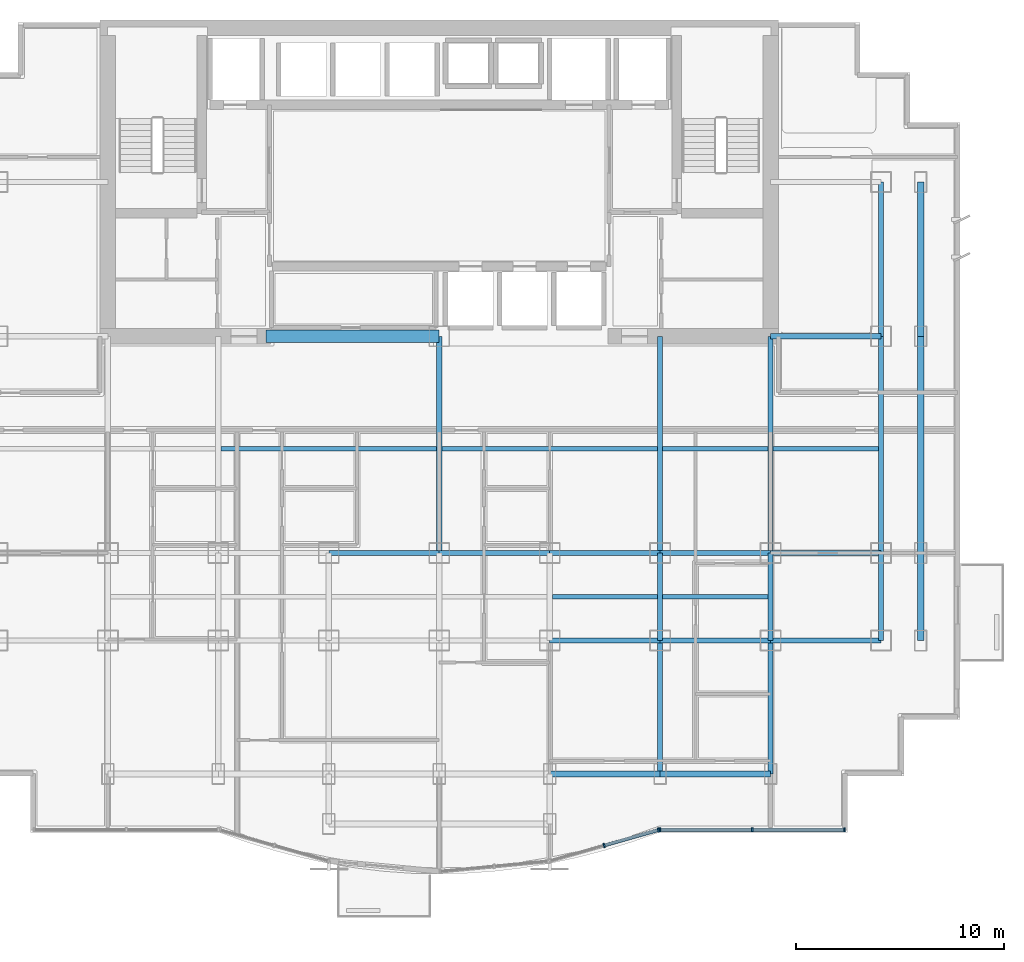
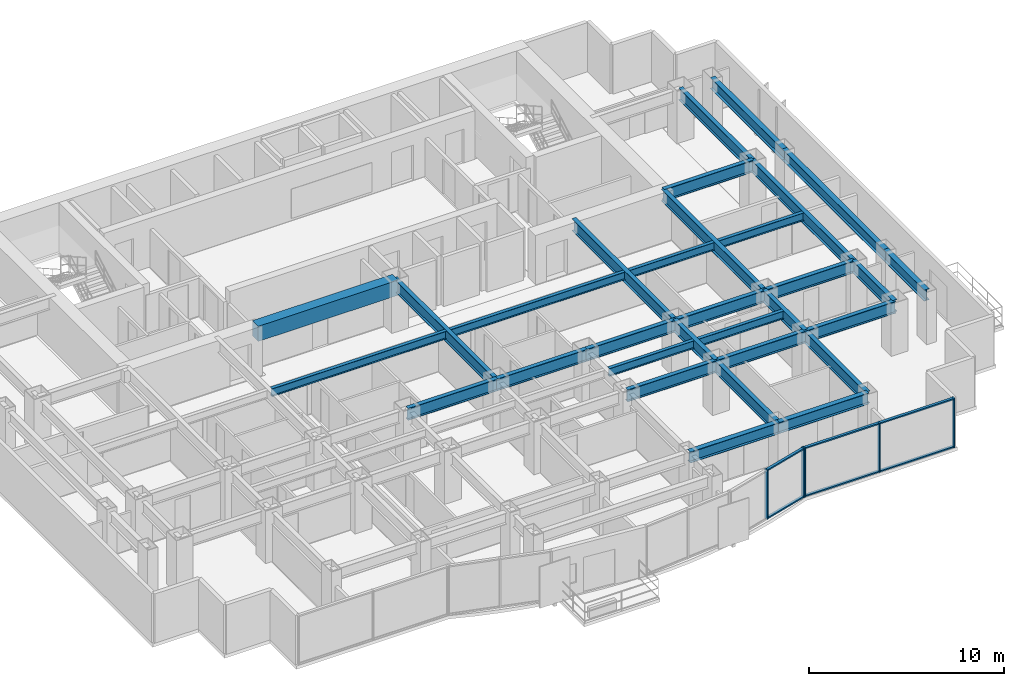
# One storey, part 3 of 10: 31 beams, 11 members, 2 elements without a shape of their own.
"""IFC4 building model written with IfcOpenShell, lengths in metres."""

import ifcopenshell
import ifcopenshell.guid

model = None  # the IFC model being written
_history = None  # IfcOwnerHistory: only IFC2X3 demands one
_inside = {}  # id of a spatial element -> (the spatial element, [elements in it])
_under = {}  # id of a project, library or spatial element -> (it, [spatial elements below it])
_declared = {}  # id of a project -> (the project, [libraries it declares])
_typed = {}  # id of a type object -> (the type object, [elements of that type])
_made_of = {}  # id of a material, layer set ... -> (it, [elements and type objects made of it])


def new_model(schema):
    """Start an empty IFC model of exactly this schema.

    Asked for "IFC4X3", IfcOpenShell would pick the latest addendum, in which some entities
    have other attributes; the version numbers below select the first issue.
    IFC2X3 requires an IfcOwnerHistory on every rooted entity: one is made here for all.
    """
    global model, _history
    if schema == "IFC4X3":
        model = ifcopenshell.file(schema_version=(4, 3, 0, 0))
    else:
        model = ifcopenshell.file(schema=schema)
    _inside.clear()
    _under.clear()
    _declared.clear()
    _typed.clear()
    _made_of.clear()
    _history = None
    if model.schema == "IFC2X3":
        org = make("IfcOrganization", Name="unknown")
        user = make(
            "IfcPersonAndOrganization",
            ThePerson=make("IfcPerson", FamilyName="unknown"),
            TheOrganization=org,
        )
        app = make(
            "IfcApplication",
            ApplicationDeveloper=org,
            Version="unknown",
            ApplicationFullName="unknown",
            ApplicationIdentifier="unknown",
        )
        _history = make(
            "IfcOwnerHistory",
            OwningUser=user,
            OwningApplication=app,
            ChangeAction="ADDED",
            CreationDate=0,
        )
    return model


def make(cls, **values):
    """One entity of the class cls with the attributes given. An attribute that is None is left unset."""
    return model.create_entity(
        cls, **{name: value for name, value in values.items() if value is not None}
    )


def rooted(cls, **values):
    """An entity with a GlobalId (a new one), such as an element, a storey or a relation."""
    return make(cls, GlobalId=ifcopenshell.guid.new(), OwnerHistory=_history, **values)


def si_unit(unit_type, name, prefix=None):
    """IfcSIUnit, for example si_unit("LENGTHUNIT", "METRE", prefix="MILLI")."""
    return make("IfcSIUnit", UnitType=unit_type, Prefix=prefix, Name=name)


def assignment(units):
    """IfcUnitAssignment: the units of a project."""
    return None if units is None else make("IfcUnitAssignment", Units=units)


def point(xyz):
    """IfcCartesianPoint."""
    return None if xyz is None else make("IfcCartesianPoint", Coordinates=xyz)


def direction(xyz):
    """IfcDirection."""
    return None if xyz is None else make("IfcDirection", DirectionRatios=xyz)


def frame(location, z_axis=None, x_axis=None):
    """IfcAxis2Placement3D, a coordinate frame: its origin and axes. An axis left out is left unset."""
    return make(
        "IfcAxis2Placement3D",
        Location=point(location),
        Axis=direction(z_axis),
        RefDirection=direction(x_axis),
    )


def frame_2d(location, x_axis=None):
    """IfcAxis2Placement2D, a coordinate frame in the plane: its origin and x axis."""
    return make(
        "IfcAxis2Placement2D", Location=point(location), RefDirection=direction(x_axis)
    )


def origin():
    """The frame at (0, 0, 0) with its axes left unset."""
    return frame((0.0, 0.0, 0.0))


def origin_2d():
    """The frame at (0, 0) in the plane with its x axis left unset."""
    return frame_2d((0.0, 0.0))


def place(relative_to, where):
    """IfcLocalPlacement: puts the frame where relative to a parent placement (None: the world)."""
    return make(
        "IfcLocalPlacement", PlacementRelTo=relative_to, RelativePlacement=where
    )


def context(
    kind, dimensions, precision=None, world=None, true_north=None, identifier=None
):
    """IfcGeometricRepresentationContext, for example the 3D "Model" context."""
    return make(
        "IfcGeometricRepresentationContext",
        ContextIdentifier=identifier,
        ContextType=kind,
        CoordinateSpaceDimension=dimensions,
        Precision=precision,
        WorldCoordinateSystem=world,
        TrueNorth=true_north,
    )


def subcontext(parent, identifier, kind, view, scale=None):
    """IfcGeometricRepresentationSubContext, for example "Body" below "Model"."""
    return make(
        "IfcGeometricRepresentationSubContext",
        ContextIdentifier=identifier,
        ContextType=kind,
        ParentContext=parent,
        TargetScale=scale,
        TargetView=view,
    )


def project(units=None, contexts=None):
    """IfcProject with its units and contexts."""
    return rooted(
        "IfcProject",
        Name="project",
        RepresentationContexts=contexts,
        UnitsInContext=assignment(units),
    )


def spatial(cls, under=None, at=None, **own):
    """A site, building, storey or space (cls), placed at a placement, below another one or the project."""
    s = rooted(cls, ObjectPlacement=at, **own)
    if under is not None:
        _under.setdefault(under.id(), (under, []))[1].append(s)
    return s


def profile(cls, at=None, kind="AREA", **sizes):
    """A parametric profile (cls). Its sizes go by their IFC names, for example OverallWidth=200.0."""
    return make(cls, ProfileType=kind, Position=at, **sizes)


def rectangle(**sizes):
    """IfcRectangleProfileDef."""
    return profile("IfcRectangleProfileDef", **sizes)


def i_section(**sizes):
    """IfcIShapeProfileDef."""
    return profile("IfcIShapeProfileDef", **sizes)


def extrude(swept, where, along, depth):
    """IfcExtrudedAreaSolid: the profile swept, set in the frame where, extruded along a direction by depth."""
    return make(
        "IfcExtrudedAreaSolid",
        SweptArea=swept,
        Position=where,
        ExtrudedDirection=direction(along),
        Depth=depth,
    )


def shape(context_of_items, identifier, shape_type, items):
    """IfcShapeRepresentation: the items that make up one representation, for example the "Body"."""
    return make(
        "IfcShapeRepresentation",
        ContextOfItems=context_of_items,
        RepresentationIdentifier=identifier,
        RepresentationType=shape_type,
        Items=items,
    )


def source(mapping_origin, context_of_items, identifier, shape_type, items):
    """IfcRepresentationMap: a shape defined once, which mapped items show again and again."""
    return make(
        "IfcRepresentationMap",
        MappingOrigin=mapping_origin,
        MappedRepresentation=shape(context_of_items, identifier, shape_type, items),
    )


def transform(
    local_origin,
    x_axis=None,
    y_axis=None,
    z_axis=None,
    scale=None,
    scale2=None,
    scale3=None,
    uniform=True,
):
    """IfcCartesianTransformationOperator3D, or its non-uniform kind. x_axis, y_axis, z_axis: its Axis1, 2, 3."""
    if uniform:
        return make(
            "IfcCartesianTransformationOperator3D",
            Axis1=direction(x_axis),
            Axis2=direction(y_axis),
            LocalOrigin=point(local_origin),
            Scale=scale,
            Axis3=direction(z_axis),
        )
    return make(
        "IfcCartesianTransformationOperator3DnonUniform",
        Axis1=direction(x_axis),
        Axis2=direction(y_axis),
        LocalOrigin=point(local_origin),
        Scale=scale,
        Axis3=direction(z_axis),
        Scale2=scale2,
        Scale3=scale3,
    )


def mapped(mapping_source, mapping_target):
    """IfcMappedItem: shows the shape of a source again, moved by a transform."""
    return make(
        "IfcMappedItem", MappingSource=mapping_source, MappingTarget=mapping_target
    )


def material(Name=None, Category=None):
    """IfcMaterial."""
    return make("IfcMaterial", Name=Name, Category=Category)


def layer(
    of_material, thickness, ventilated=None, Name=None, Category=None, Priority=None
):
    """IfcMaterialLayer: one layer of a wall or slab, of a material (None: an air gap)."""
    return make(
        "IfcMaterialLayer",
        Material=of_material,
        LayerThickness=thickness,
        IsVentilated=ventilated,
        Name=Name,
        Category=Category,
        Priority=Priority,
    )


def layer_set(layers, Name=None):
    """IfcMaterialLayerSet."""
    return make("IfcMaterialLayerSet", MaterialLayers=layers, LayerSetName=Name)


def material_profile(
    of_material, cross_section, Name=None, Category=None, Priority=None
):
    """IfcMaterialProfile: a cross section and its material."""
    return make(
        "IfcMaterialProfile",
        Name=Name,
        Material=of_material,
        Profile=cross_section,
        Priority=Priority,
        Category=Category,
    )


def profile_set(profiles, Name=None, composite=None):
    """IfcMaterialProfileSet."""
    return make(
        "IfcMaterialProfileSet",
        Name=Name,
        MaterialProfiles=profiles,
        CompositeProfile=composite,
    )


def made_of(thing, what):
    """Note that an element or type object is made of a material, layer set ...; save() writes the relation."""
    if what is not None:
        _made_of.setdefault(what.id(), (what, []))[1].append(thing)
    return thing


def type_object(cls, material=None, **own):
    """A type object (cls), such as IfcWallType, which elements share."""
    return made_of(rooted(cls, **own), material)


def element(
    cls,
    number,
    at=None,
    inside=None,
    cuts=None,
    type_object=None,
    material=None,
    context=None,
    identifier="Body",
    shape_type=None,
    held_by="IfcProductDefinitionShape",
    body=None,
    shapes=None,
    **own,
):
    """One element of the class cls, such as IfcWall. Its Tag is "e" and its number.

    at: its placement. inside: the storey or other place that contains it. cuts: it is an
    opening in that element (IfcRelVoidsElement). A single representation is given by context,
    identifier, shape_type and body (its items); several are given by shapes. held_by: the class
    of the entity that holds the representations. save() writes the other relations.
    """
    e = rooted(cls, Tag="e%d" % number, ObjectPlacement=at, **own)
    if body is not None:
        shapes = [shape(context, identifier, shape_type, body)]
    if shapes is not None:
        e.Representation = make(held_by, Representations=shapes)
    if inside is not None:
        _inside.setdefault(inside.id(), (inside, []))[1].append(e)
    if cuts is not None:
        rooted(
            "IfcRelVoidsElement", RelatingBuildingElement=cuts, RelatedOpeningElement=e
        )
    if type_object is not None:
        _typed.setdefault(type_object.id(), (type_object, []))[1].append(e)
    return made_of(e, material)


def aggregate(whole, parts):
    """IfcRelAggregates: a whole, such as a stair, and the parts it consists of."""
    return rooted("IfcRelAggregates", RelatingObject=whole, RelatedObjects=parts)


def save(model, path):
    """Write the relations noted so far, then the file.

    IfcRelAggregates (storeys below a building ...), IfcRelContainedInSpatialStructure (elements
    in a storey), IfcRelDefinesByType, IfcRelAssociatesMaterial and IfcRelDeclares: one each for
    every whole, place, type object, material and project.
    """
    for whole, parts in _under.values():
        aggregate(whole, parts)
    for where, things in _inside.values():
        rooted(
            "IfcRelContainedInSpatialStructure",
            RelatedElements=things,
            RelatingStructure=where,
        )
    for kind, things in _typed.values():
        rooted("IfcRelDefinesByType", RelatedObjects=things, RelatingType=kind)
    for what, things in _made_of.values():
        rooted("IfcRelAssociatesMaterial", RelatedObjects=things, RelatingMaterial=what)
    for by, libraries in _declared.values():
        rooted("IfcRelDeclares", RelatingContext=by, RelatedDefinitions=libraries)
    model.write(path)


model = new_model("IFC4")

# Units and contexts
model_context = context("Model", 3, precision=1e-05, world=origin(), true_north=direction((0.0, 1.0)))
body_context = subcontext(model_context, "Body", "Model", "MODEL_VIEW")
ifc_project = project(units=[si_unit("LENGTHUNIT", "METRE"), si_unit("AREAUNIT", "SQUARE_METRE"), si_unit("VOLUMEUNIT", "CUBIC_METRE"), si_unit("PLANEANGLEUNIT", "RADIAN"), si_unit("MASSUNIT", "GRAM", prefix="KILO")], contexts=[model_context])

# Site, building, storey
site_placement = place(None, origin())
site = spatial("IfcSite", under=ifc_project, at=site_placement, CompositionType="ELEMENT")
building_placement = place(site_placement, origin())
building = spatial("IfcBuilding", under=site, at=building_placement, Name="Qianlan Lanfeng Residences", CompositionType="ELEMENT")
storey_placement = place(building_placement, frame((0.0, 0.0, 88.300048828125)))
storey = spatial("IfcBuildingStorey", under=building, at=storey_placement, Name="L23", CompositionType="ELEMENT", Elevation=88.300048828125)

# Beams
ifc_material_1 = material(Name="Steel SN490B", Category="steel")
ifc_material_profile_1 = material_profile(ifc_material_1, i_section(OverallWidth=0.25, OverallDepth=0.75, WebThickness=0.013916015625, FlangeThickness=0.02490234375, at=origin_2d()), Name="H 750x250x14x25")
ifc_profile_set_1 = profile_set([ifc_material_profile_1], Name="Steel SN490B")
beam_type_1 = type_object("IfcBeamType", Name="G-850", PredefinedType="BEAM", material=ifc_profile_set_1)
beam_1_placement = place(storey_placement, frame((31.800048828125, 10.60009765625, 2.71484375), z_axis=(1.0, 0.0, 0.0), x_axis=(0.0, 1.0, 0.0)))
element("IfcBeam", 1, at=beam_1_placement, inside=storey, type_object=beam_type_1, Name="Structural beam G-850", PredefinedType="BEAM", context=body_context, shape_type="SweptSolid", body=[
    extrude(i_section(OverallWidth=0.25, OverallDepth=0.75, WebThickness=0.013916015625, FlangeThickness=0.02490234375, at=origin_2d()), origin(), (0.0, 0.0, 1.0), 5.300048828125),
])
beam_2_placement = place(storey_placement, frame((37.10009765625, 10.60009765625, 2.71484375), z_axis=(1.0, 0.0, 0.0), x_axis=(0.0, 1.0, 0.0)))
element("IfcBeam", 2, at=beam_2_placement, inside=storey, type_object=beam_type_1, Name="Structural beam G-850", PredefinedType="BEAM", context=body_context, shape_type="SweptSolid", body=[
    extrude(i_section(OverallWidth=0.25, OverallDepth=0.75, WebThickness=0.013916015625, FlangeThickness=0.02490234375, at=origin_2d()), origin(), (0.0, 0.0, 1.0), 5.2998046875),
])
for number, where, z_axis, x_axis, name in (
    (3, (42.39990234375, 10.60009765625, 2.71484375), (1.0, 0.0, 0.0), (0.0, 1.0, 0.0), "Structural beam G-850"),
    (4, (21.199951171875, 14.800048828125, 2.71484375), (1.0, 0.0, 0.0), (0.0, 1.0, 0.0), "Structural beam G-850"),
    (5, (26.5, 14.800048828125, 2.71484375), (1.0, 0.0, 0.0), (0.0, 1.0, 0.0), "Structural beam G-850"),
    (6, (31.800048828125, 14.800048828125, 2.71484375), (1.0, 0.0, 0.0), (0.0, 1.0, 0.0), "Structural beam G-850"),
):
    element("IfcBeam", number, at=place(storey_placement, frame(where, z_axis=z_axis, x_axis=x_axis)), inside=storey, type_object=beam_type_1, Name=name, PredefinedType="BEAM", context=body_context, shape_type="SweptSolid", body=[
        extrude(i_section(OverallWidth=0.25, OverallDepth=0.75, WebThickness=0.013916015625, FlangeThickness=0.02490234375, at=origin_2d()), origin(), (0.0, 0.0, 1.0), 5.300048828125),
    ])
beam_3_placement = place(storey_placement, frame((37.10009765625, 14.800048828125, 2.71484375), z_axis=(1.0, 0.0, 0.0), x_axis=(0.0, 1.0, 0.0)))
element("IfcBeam", 7, at=beam_3_placement, inside=storey, type_object=beam_type_1, Name="Structural beam G-850", PredefinedType="BEAM", context=body_context, shape_type="SweptSolid", body=[
    extrude(i_section(OverallWidth=0.25, OverallDepth=0.75, WebThickness=0.013916015625, FlangeThickness=0.02490234375, at=origin_2d()), origin(), (0.0, 0.0, 1.0), 5.2998046875),
])
for number, where, z_axis, x_axis, name in (
    (8, (42.39990234375, 14.800048828125, 2.71484375), (1.0, 0.0, 0.0), (0.0, 1.0, 0.0), "Structural beam G-850"),
    (9, (42.39990234375, 25.199951171875, 2.71484375), (1.0, 0.0, 0.0), (0.0, 1.0, 0.0), "Structural beam G-850"),
):
    element("IfcBeam", number, at=place(storey_placement, frame(where, z_axis=z_axis, x_axis=x_axis)), inside=storey, type_object=beam_type_1, Name=name, PredefinedType="BEAM", context=body_context, shape_type="SweptSolid", body=[
        extrude(i_section(OverallWidth=0.25, OverallDepth=0.75, WebThickness=0.013916015625, FlangeThickness=0.02490234375, at=origin_2d()), origin(), (0.0, 0.0, 1.0), 5.300048828125),
    ])
beam_4_placement = place(storey_placement, frame((26.5, 14.800048828125, 2.71484375), z_axis=(0.0, 1.0, 0.0), x_axis=(-1.0, 0.0, 0.0)))
element("IfcBeam", 10, at=beam_4_placement, inside=storey, type_object=beam_type_1, Name="Structural beam G-850", PredefinedType="BEAM", context=body_context, shape_type="SweptSolid", body=[
    extrude(i_section(OverallWidth=0.25, OverallDepth=0.75, WebThickness=0.013916015625, FlangeThickness=0.02490234375, at=origin_2d()), origin(), (0.0, 0.0, 1.0), 10.39990234375),
])
beam_5_placement = place(storey_placement, frame((37.10009765625, 4.199951171875, 2.71484375), z_axis=(0.0, 1.0, 0.0), x_axis=(-1.0, 0.0, 0.0)))
element("IfcBeam", 11, at=beam_5_placement, inside=storey, type_object=beam_type_1, Name="Structural beam G-850", PredefinedType="BEAM", context=body_context, shape_type="SweptSolid", body=[
    extrude(i_section(OverallWidth=0.25, OverallDepth=0.75, WebThickness=0.013916015625, FlangeThickness=0.02490234375, at=origin_2d()), origin(), (0.0, 0.0, 1.0), 6.400146484375),
])
beam_6_placement = place(storey_placement, frame((37.10009765625, 10.60009765625, 2.71484375), z_axis=(0.0, 1.0, 0.0), x_axis=(-1.0, 0.0, 0.0)))
element("IfcBeam", 12, at=beam_6_placement, inside=storey, type_object=beam_type_1, Name="Structural beam G-850", PredefinedType="BEAM", context=body_context, shape_type="SweptSolid", body=[
    extrude(i_section(OverallWidth=0.25, OverallDepth=0.75, WebThickness=0.013916015625, FlangeThickness=0.02490234375, at=origin_2d()), origin(), (0.0, 0.0, 1.0), 4.199951171875),
])
beam_7_placement = place(storey_placement, frame((37.10009765625, 14.800048828125, 2.71484375), z_axis=(0.0, 1.0, 0.0), x_axis=(-1.0, 0.0, 0.0)))
element("IfcBeam", 13, at=beam_7_placement, inside=storey, type_object=beam_type_1, Name="Structural beam G-850", PredefinedType="BEAM", context=body_context, shape_type="SweptSolid", body=[
    extrude(i_section(OverallWidth=0.25, OverallDepth=0.75, WebThickness=0.013916015625, FlangeThickness=0.02490234375, at=origin_2d()), origin(), (0.0, 0.0, 1.0), 10.39990234375),
])
beam_8_placement = place(storey_placement, frame((42.39990234375, 4.199951171875, 2.71484375), z_axis=(0.0, 1.0, 0.0), x_axis=(-1.0, 0.0, 0.0)))
element("IfcBeam", 14, at=beam_8_placement, inside=storey, type_object=beam_type_1, Name="Structural beam G-850", PredefinedType="BEAM", context=body_context, shape_type="SweptSolid", body=[
    extrude(i_section(OverallWidth=0.25, OverallDepth=0.75, WebThickness=0.013916015625, FlangeThickness=0.02490234375, at=origin_2d()), origin(), (0.0, 0.0, 1.0), 6.400146484375),
])
beam_9_placement = place(storey_placement, frame((42.39990234375, 10.60009765625, 2.71484375), z_axis=(0.0, 1.0, 0.0), x_axis=(-1.0, 0.0, 0.0)))
element("IfcBeam", 15, at=beam_9_placement, inside=storey, type_object=beam_type_1, Name="Structural beam G-850", PredefinedType="BEAM", context=body_context, shape_type="SweptSolid", body=[
    extrude(i_section(OverallWidth=0.25, OverallDepth=0.75, WebThickness=0.013916015625, FlangeThickness=0.02490234375, at=origin_2d()), origin(), (0.0, 0.0, 1.0), 4.199951171875),
])
beam_10_placement = place(storey_placement, frame((42.39990234375, 14.800048828125, 2.71484375), z_axis=(0.0, 1.0, 0.0), x_axis=(-1.0, 0.0, 0.0)))
element("IfcBeam", 16, at=beam_10_placement, inside=storey, type_object=beam_type_1, Name="Structural beam G-850", PredefinedType="BEAM", context=body_context, shape_type="SweptSolid", body=[
    extrude(i_section(OverallWidth=0.25, OverallDepth=0.75, WebThickness=0.013916015625, FlangeThickness=0.02490234375, at=origin_2d()), origin(), (0.0, 0.0, 1.0), 10.39990234375),
])
beam_11_placement = place(storey_placement, frame((47.699951171875, 10.60009765625, 2.71484375), z_axis=(0.0, 1.0, 0.0), x_axis=(-1.0, 0.0, 0.0)))
element("IfcBeam", 17, at=beam_11_placement, inside=storey, type_object=beam_type_1, Name="Structural beam G-850", PredefinedType="BEAM", context=body_context, shape_type="SweptSolid", body=[
    extrude(i_section(OverallWidth=0.25, OverallDepth=0.75, WebThickness=0.013916015625, FlangeThickness=0.02490234375, at=origin_2d()), origin(), (0.0, 0.0, 1.0), 4.199951171875),
])
beam_12_placement = place(storey_placement, frame((47.699951171875, 14.800048828125, 2.71484375), z_axis=(0.0, 1.0, 0.0), x_axis=(-1.0, 0.0, 0.0)))
element("IfcBeam", 18, at=beam_12_placement, inside=storey, type_object=beam_type_1, Name="Structural beam G-850", PredefinedType="BEAM", context=body_context, shape_type="SweptSolid", body=[
    extrude(i_section(OverallWidth=0.25, OverallDepth=0.75, WebThickness=0.013916015625, FlangeThickness=0.02490234375, at=origin_2d()), origin(), (0.0, 0.0, 1.0), 10.39990234375),
])
beam_13_placement = place(storey_placement, frame((47.699951171875, 25.199951171875, 2.71484375), z_axis=(0.0, 1.0, 0.0), x_axis=(-1.0, 0.0, 0.0)))
element("IfcBeam", 19, at=beam_13_placement, inside=storey, type_object=beam_type_1, Name="Structural beam G-850", PredefinedType="BEAM", context=body_context, shape_type="SweptSolid", body=[
    extrude(i_section(OverallWidth=0.25, OverallDepth=0.75, WebThickness=0.013916015625, FlangeThickness=0.02490234375, at=origin_2d()), origin(), (0.0, 0.0, 1.0), 7.400146484375),
])
ifc_material_profile_2 = material_profile(ifc_material_1, i_section(OverallWidth=0.199951171875, OverallDepth=0.5, WebThickness=0.010009765625, FlangeThickness=0.01611328125, at=origin_2d()), Name="H 500x200x10x16")
ifc_profile_set_2 = profile_set([ifc_material_profile_2], Name="Steel SN490B")
beam_type_2 = type_object("IfcBeamType", Name="J-500", PredefinedType="JOIST", material=ifc_profile_set_2)
beam_14_placement = place(storey_placement, frame((31.925048828125, 12.699951171875, 2.83984375), z_axis=(1.0, 0.0, 0.0), x_axis=(0.0, 1.0, 0.0)))
element("IfcBeam", 20, at=beam_14_placement, inside=storey, type_object=beam_type_2, Name="Structural beam J-500", PredefinedType="JOIST", context=body_context, shape_type="SweptSolid", body=[
    extrude(i_section(OverallWidth=0.199951171875, OverallDepth=0.5, WebThickness=0.010009765625, FlangeThickness=0.01611328125, at=origin_2d()), origin(), (0.0, 0.0, 1.0), 5.050048828125),
])
beam_15_placement = place(storey_placement, frame((37.22509765625, 12.699951171875, 2.83984375), z_axis=(1.0, 0.0, 0.0), x_axis=(0.0, 1.0, 0.0)))
element("IfcBeam", 21, at=beam_15_placement, inside=storey, type_object=beam_type_2, Name="Structural beam J-500", PredefinedType="JOIST", context=body_context, shape_type="SweptSolid", body=[
    extrude(i_section(OverallWidth=0.199951171875, OverallDepth=0.5, WebThickness=0.010009765625, FlangeThickness=0.01611328125, at=origin_2d()), origin(), (0.0, 0.0, 1.0), 5.0498046875),
])
for number, where, z_axis, x_axis, name in (
    (22, (16.02490234375, 19.800048828125, 2.83984375), (1.0, 0.0, 0.0), (0.0, 1.0, 0.0), "Structural beam J-500"),
    (23, (26.625, 19.800048828125, 2.83984375), (1.0, 0.0, 0.0), (0.0, 1.0, 0.0), "Structural beam J-500"),
):
    element("IfcBeam", number, at=place(storey_placement, frame(where, z_axis=z_axis, x_axis=x_axis)), inside=storey, type_object=beam_type_2, Name=name, PredefinedType="JOIST", context=body_context, shape_type="SweptSolid", body=[
        extrude(i_section(OverallWidth=0.199951171875, OverallDepth=0.5, WebThickness=0.010009765625, FlangeThickness=0.01611328125, at=origin_2d()), origin(), (0.0, 0.0, 1.0), 10.35009765625),
    ])
beam_16_placement = place(storey_placement, frame((37.22509765625, 19.800048828125, 2.83984375), z_axis=(1.0, 0.0, 0.0), x_axis=(0.0, 1.0, 0.0)))
element("IfcBeam", 24, at=beam_16_placement, inside=storey, type_object=beam_type_2, Name="Structural beam J-500", PredefinedType="JOIST", context=body_context, shape_type="SweptSolid", body=[
    extrude(i_section(OverallWidth=0.199951171875, OverallDepth=0.5, WebThickness=0.010009765625, FlangeThickness=0.01611328125, at=origin_2d()), origin(), (0.0, 0.0, 1.0), 5.0498046875),
])
beam_17_placement = place(storey_placement, frame((42.52490234375, 19.800048828125, 2.83984375), z_axis=(1.0, 0.0, 0.0), x_axis=(0.0, 1.0, 0.0)))
element("IfcBeam", 25, at=beam_17_placement, inside=storey, type_object=beam_type_2, Name="Structural beam J-500", PredefinedType="JOIST", context=body_context, shape_type="SweptSolid", body=[
    extrude(i_section(OverallWidth=0.199951171875, OverallDepth=0.5, WebThickness=0.010009765625, FlangeThickness=0.01611328125, at=origin_2d()), origin(), (0.0, 0.0, 1.0), 5.050048828125),
])
ifc_material_2 = material(Name="Concrete C60", Category="concrete")
ifc_material_profile_3 = material_profile(ifc_material_2, rectangle(XDim=0.60009765625, YDim=0.949951171875, at=origin_2d()), Name="RC 600x950")
ifc_profile_set_3 = profile_set([ifc_material_profile_3], Name="Concrete C60")
beam_type_3 = type_object("IfcBeamType", Name="LB-RC900", PredefinedType="BEAM", material=ifc_profile_set_3)
beam_18_placement = place(storey_placement, frame((18.199951171875, 25.199951171875, 2.614990234375), z_axis=(1.0, 0.0, 0.0), x_axis=(0.0, 1.0, 0.0)))
element("IfcBeam", 26, at=beam_18_placement, inside=storey, type_object=beam_type_3, Name="L23 Core Coupling Beam W", PredefinedType="BEAM", context=body_context, shape_type="SweptSolid", body=[
    extrude(rectangle(XDim=0.60009765625, YDim=0.949951171875, at=origin_2d()), origin(), (0.0, 0.0, 1.0), 8.300048828125),
])
ifc_material_profile_4 = material_profile(ifc_material_1, i_section(OverallWidth=0.300048828125, OverallDepth=0.699951171875, WebThickness=0.012939453125, FlangeThickness=0.02392578125, at=origin_2d()), Name="H 700x300x13x24")
ifc_profile_set_4 = profile_set([ifc_material_profile_4], Name="Steel SN490B")
beam_type_4 = type_object("IfcBeamType", Name="SG-750", PredefinedType="SPANDREL", material=ifc_profile_set_4)
beam_19_placement = place(storey_placement, frame((31.800048828125, 4.199951171875, 2.739990234375), z_axis=(1.0, 0.0, 0.0), x_axis=(0.0, 1.0, 0.0)))
element("IfcBeam", 27, at=beam_19_placement, inside=storey, type_object=beam_type_4, Name="Structural beam SG-750", PredefinedType="SPANDREL", context=body_context, shape_type="SweptSolid", body=[
    extrude(i_section(OverallWidth=0.300048828125, OverallDepth=0.699951171875, WebThickness=0.012939453125, FlangeThickness=0.02392578125, at=origin_2d()), origin(), (0.0, 0.0, 1.0), 5.300048828125),
])
beam_20_placement = place(storey_placement, frame((37.10009765625, 4.199951171875, 2.739990234375), z_axis=(1.0, 0.0, 0.0), x_axis=(0.0, 1.0, 0.0)))
element("IfcBeam", 28, at=beam_20_placement, inside=storey, type_object=beam_type_4, Name="Structural beam SG-750", PredefinedType="SPANDREL", context=body_context, shape_type="SweptSolid", body=[
    extrude(i_section(OverallWidth=0.300048828125, OverallDepth=0.699951171875, WebThickness=0.012939453125, FlangeThickness=0.02392578125, at=origin_2d()), origin(), (0.0, 0.0, 1.0), 5.2998046875),
])
beam_21_placement = place(storey_placement, frame((49.60009765625, 10.60009765625, 2.739990234375), z_axis=(0.0, 1.0, 0.0), x_axis=(-1.0, 0.0, 0.0)))
element("IfcBeam", 29, at=beam_21_placement, inside=storey, type_object=beam_type_4, Name="Structural beam SG-750", PredefinedType="SPANDREL", context=body_context, shape_type="SweptSolid", body=[
    extrude(i_section(OverallWidth=0.300048828125, OverallDepth=0.699951171875, WebThickness=0.012939453125, FlangeThickness=0.02392578125, at=origin_2d()), origin(), (0.0, 0.0, 1.0), 4.199951171875),
])
beam_22_placement = place(storey_placement, frame((49.60009765625, 14.800048828125, 2.739990234375), z_axis=(0.0, 1.0, 0.0), x_axis=(-1.0, 0.0, 0.0)))
element("IfcBeam", 30, at=beam_22_placement, inside=storey, type_object=beam_type_4, Name="Structural beam SG-750", PredefinedType="SPANDREL", context=body_context, shape_type="SweptSolid", body=[
    extrude(i_section(OverallWidth=0.300048828125, OverallDepth=0.699951171875, WebThickness=0.012939453125, FlangeThickness=0.02392578125, at=origin_2d()), origin(), (0.0, 0.0, 1.0), 10.39990234375),
])
beam_23_placement = place(storey_placement, frame((49.60009765625, 25.199951171875, 2.739990234375), z_axis=(0.0, 1.0, 0.0), x_axis=(-1.0, 0.0, 0.0)))
element("IfcBeam", 31, at=beam_23_placement, inside=storey, type_object=beam_type_4, Name="Structural beam SG-750", PredefinedType="SPANDREL", context=body_context, shape_type="SweptSolid", body=[
    extrude(i_section(OverallWidth=0.300048828125, OverallDepth=0.699951171875, WebThickness=0.012939453125, FlangeThickness=0.02392578125, at=origin_2d()), origin(), (0.0, 0.0, 1.0), 7.400146484375),
])

# Curtain wall, members
ifc_material_3 = material(Name="Anodised Bronze Aluminium 6063-T6", Category="aluminium")
ifc_layer = layer(ifc_material_3, 0.219970703125)
ifc_layer_set = layer_set([ifc_layer], Name="Anodised Bronze Aluminium 6063-T6")
curtain_wall_type = type_object("IfcCurtainWallType", Name="CW-03", PredefinedType="NOTDEFINED", material=ifc_layer_set)
curtain_wall_1_placement = place(storey_placement, origin())
curtain_wall_1 = element("IfcCurtainWall", 32, at=curtain_wall_1_placement, inside=storey, type_object=curtain_wall_type, Name="L23 Unitised Curtain Wall CWR-L23-05 (CW-03)", PredefinedType="NOTDEFINED")
ifc_material_profile_5 = material_profile(ifc_material_3, rectangle(XDim=0.080078125, YDim=0.159912109375, at=origin_2d()), Name="ALU TRANSOM 80x160")
ifc_profile_set_5 = profile_set([ifc_material_profile_5], Name="Anodised Bronze Aluminium 6063-T6")
member_type_1 = type_object("IfcMemberType", Name="CWT-180", PredefinedType="USERDEFINED", material=ifc_profile_set_5)
shared_shape_1 = source(origin(), body_context, "Body", "SweptSolid", [
    extrude(rectangle(XDim=0.080078125, YDim=0.159912109375, at=origin_2d()), origin(), (0.0, 0.0, 1.0), 4.34033203125),
])
member_1_placement = place(storey_placement, frame((41.5595703125, 1.52001953125, 0.0400390625), z_axis=(1.0, 0.0, 0.0), x_axis=(0.0, 0.0, 1.0)))
member_1 = element("IfcMember", 33, at=member_1_placement, type_object=member_type_1, Name="CWR-L23-05 Transom 2-BOT", ObjectType="TRANSOM", PredefinedType="USERDEFINED", context=body_context, shape_type="MappedRepresentation", body=[
    mapped(shared_shape_1, transform((0.0, 0.0, 0.0), scale=1.0)),
])
member_2_placement = place(storey_placement, frame((41.5595703125, 1.52001953125, 3.050048828125), z_axis=(1.0, 0.0, 0.0), x_axis=(0.0, 0.0, 1.0)))
member_2 = element("IfcMember", 34, at=member_2_placement, type_object=member_type_1, Name="CWR-L23-05 Transom 2-TOP", ObjectType="TRANSOM", PredefinedType="USERDEFINED", context=body_context, shape_type="MappedRepresentation", body=[
    mapped(shared_shape_1, transform((0.0, 0.0, 0.0), scale=1.0)),
])
shared_shape_2 = source(origin(), body_context, "Body", "SweptSolid", [
    extrude(rectangle(XDim=0.080078125, YDim=0.159912109375, at=origin_2d()), origin(), (0.0, 0.0, 1.0), 4.340576171875),
])
member_3_placement = place(storey_placement, frame((37.138916015625, 1.52001953125, 0.0400390625), z_axis=(1.0, 0.0, 0.0), x_axis=(0.0, 0.0, 1.0)))
member_3 = element("IfcMember", 35, at=member_3_placement, type_object=member_type_1, Name="CWR-L23-05 Transom 1-BOT", ObjectType="TRANSOM", PredefinedType="USERDEFINED", context=body_context, shape_type="MappedRepresentation", body=[
    mapped(shared_shape_2, transform((0.0, 0.0, 0.0), scale=1.0)),
])
member_4_placement = place(storey_placement, frame((37.138916015625, 1.52001953125, 3.050048828125), z_axis=(1.0, 0.0, 0.0), x_axis=(0.0, 0.0, 1.0)))
member_4 = element("IfcMember", 36, at=member_4_placement, type_object=member_type_1, Name="CWR-L23-05 Transom 1-TOP", ObjectType="TRANSOM", PredefinedType="USERDEFINED", context=body_context, shape_type="MappedRepresentation", body=[
    mapped(shared_shape_2, transform((0.0, 0.0, 0.0), scale=1.0)),
])

curtain_wall_2_placement = place(storey_placement, origin())
curtain_wall_2 = element("IfcCurtainWall", 37, at=curtain_wall_2_placement, inside=storey, type_object=curtain_wall_type, Name="L23 Unitised Curtain Wall CWR-L23-04 (CW-03)", PredefinedType="NOTDEFINED")
shared_shape_3 = source(origin(), body_context, "Body", "SweptSolid", [
    extrude(rectangle(XDim=0.080078125, YDim=0.159912109375, at=origin_2d()), origin(), (0.0, 0.0, 1.0), 2.63037109375),
])
member_5_placement = place(storey_placement, frame((34.451904296875, 0.77978515625, 0.0400390625), z_axis=(0.961967513886, 0.273163874312, 0.0), x_axis=(0.0, 0.0, 1.0)))
member_5 = element("IfcMember", 38, at=member_5_placement, type_object=member_type_1, Name="CWR-L23-04 Transom 2-BOT", ObjectType="TRANSOM", PredefinedType="USERDEFINED", context=body_context, shape_type="MappedRepresentation", body=[
    mapped(shared_shape_3, transform((0.0, 0.0, 0.0), scale=1.0)),
])
member_6_placement = place(storey_placement, frame((34.451904296875, 0.77978515625, 3.050048828125), z_axis=(0.961967513886, 0.273163874312, 0.0), x_axis=(0.0, 0.0, 1.0)))
member_6 = element("IfcMember", 39, at=member_6_placement, type_object=member_type_1, Name="CWR-L23-04 Transom 2-TOP", ObjectType="TRANSOM", PredefinedType="USERDEFINED", context=body_context, shape_type="MappedRepresentation", body=[
    mapped(shared_shape_3, transform((0.0, 0.0, 0.0), scale=1.0)),
])
ifc_material_profile_6 = material_profile(ifc_material_3, rectangle(XDim=0.080078125, YDim=0.2099609375, at=origin_2d()), Name="ALU MULLION 80x210")
ifc_profile_set_6 = profile_set([ifc_material_profile_6], Name="Anodised Bronze Aluminium 6063-T6")
member_type_2 = type_object("IfcMemberType", Name="CWM-220", PredefinedType="MULLION", material=ifc_profile_set_6)
shared_shape_4 = source(origin(), body_context, "Body", "SweptSolid", [
    extrude(rectangle(XDim=0.080078125, YDim=0.2099609375, at=origin_2d()), origin(), (0.0, 0.0, 1.0), 3.08984375),
])
member_7_placement = place(storey_placement, frame((34.41357421875, 0.76904296875, 0.0), z_axis=(0.0, 0.0, 1.0), x_axis=(0.961989074302, 0.273087936247, 0.0)))
member_7 = element("IfcMember", 40, at=member_7_placement, type_object=member_type_2, Name="CWR-L23-04 Mullion 2", PredefinedType="MULLION", context=body_context, shape_type="MappedRepresentation", body=[
    mapped(shared_shape_4, transform((0.0, 0.0, 0.0), scale=1.0)),
])
member_8_placement = place(storey_placement, frame((37.0205078125, 1.509033203125, 0.0), z_axis=(0.0, 0.0, 1.0), x_axis=(0.961989074302, 0.273087936247, 0.0)))
member_8 = element("IfcMember", 41, at=member_8_placement, type_object=member_type_2, Name="CWR-L23-04 Mullion 3", PredefinedType="MULLION", context=body_context, shape_type="MappedRepresentation", body=[
    mapped(shared_shape_4, transform((0.0, 0.0, 0.0), scale=1.0)),
])
aggregate(curtain_wall_2, [member_7, member_8, member_5, member_6])

# Member
member_9_placement = place(storey_placement, frame((37.09912109375, 1.52001953125, 0.0), z_axis=(0.0, 0.0, 1.0), x_axis=(1.0, 0.0, 0.0)))
member_9 = element("IfcMember", 42, at=member_9_placement, type_object=member_type_2, Name="CWR-L23-05 Mullion 1", PredefinedType="MULLION", context=body_context, shape_type="MappedRepresentation", body=[
    mapped(shared_shape_4, transform((0.0, 0.0, 0.0), scale=1.0)),
])

member_10_placement = place(storey_placement, frame((41.51953125, 1.52001953125, 0.0), z_axis=(0.0, 0.0, 1.0), x_axis=(1.0, 0.0, 0.0)))
member_10 = element("IfcMember", 43, at=member_10_placement, type_object=member_type_2, Name="CWR-L23-05 Mullion 2", PredefinedType="MULLION", context=body_context, shape_type="MappedRepresentation", body=[
    mapped(shared_shape_4, transform((0.0, 0.0, 0.0), scale=1.0)),
])

member_11_placement = place(storey_placement, frame((45.93994140625, 1.52001953125, 0.0), z_axis=(0.0, 0.0, 1.0), x_axis=(1.0, 0.0, 0.0)))
member_11 = element("IfcMember", 44, at=member_11_placement, type_object=member_type_2, Name="CWR-L23-05 Mullion 3", PredefinedType="MULLION", context=body_context, shape_type="MappedRepresentation", body=[
    mapped(shared_shape_4, transform((0.0, 0.0, 0.0), scale=1.0)),
])

aggregate(curtain_wall_1, [member_9, member_10, member_11, member_3, member_4, member_1, member_2])

save(model, "model.ifc")
